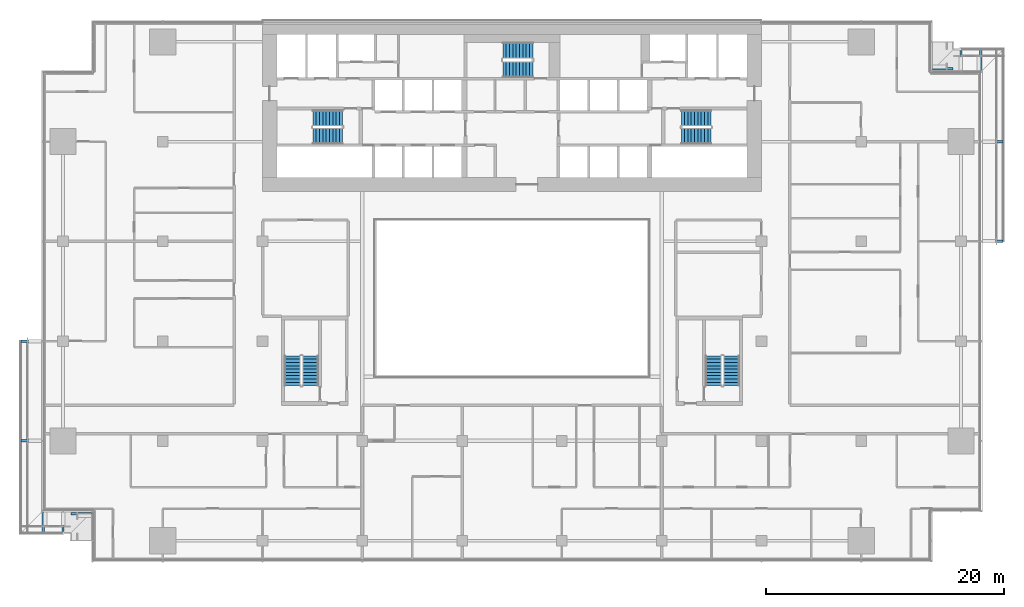
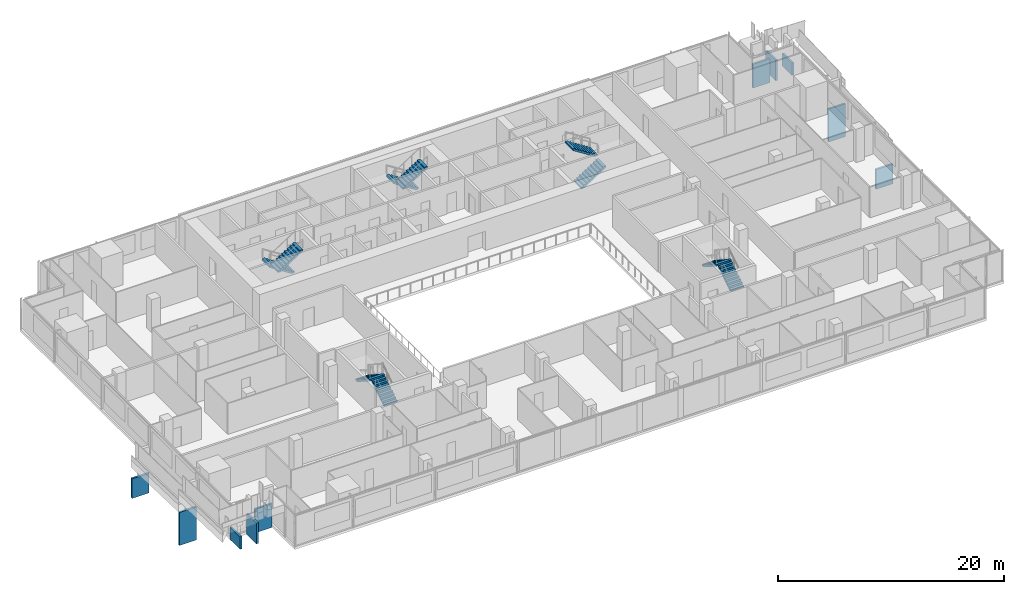
# One storey, part 22 of 27: 10 discrete accessories, 10 stair flights, 5 elements without a shape of their own.
"""IFC4 building model written with IfcOpenShell, lengths in metres."""

from ifc_helpers import new_model, si_unit, direction, frame, origin, origin_2d, place, context, subcontext, project, spatial, polyline, rectangle, outline, extrude, material, type_object, element, aggregate, save


model = new_model("IFC4")

# Units and contexts
model_context = context("Model", 3, precision=1e-05, world=origin(), true_north=direction((0.0, 1.0)))
body_context = subcontext(model_context, "Body", "Model", "MODEL_VIEW")
ifc_project = project(units=[si_unit("LENGTHUNIT", "METRE"), si_unit("AREAUNIT", "SQUARE_METRE"), si_unit("VOLUMEUNIT", "CUBIC_METRE"), si_unit("PLANEANGLEUNIT", "RADIAN"), si_unit("MASSUNIT", "GRAM", prefix="KILO")], contexts=[model_context])

# Site, building, storey
site_placement = place(None, origin())
site = spatial("IfcSite", under=ifc_project, at=site_placement, CompositionType="ELEMENT")
building_placement = place(site_placement, origin())
building = spatial("IfcBuilding", under=site, at=building_placement, Name="Saffron Gate Tower", CompositionType="ELEMENT")
storey_placement = place(building_placement, frame((0.0, 0.0, 76.800048828125)))
storey = spatial("IfcBuildingStorey", under=building, at=storey_placement, Name="L18", CompositionType="ELEMENT", Elevation=76.800048828125)

# Stair, stair flights
ifc_material = material(Name="Concrete C40", Category="concrete")
stair_type = type_object("IfcStairType", Name="ST7 Stair 1350 wide, 20 risers of 180", PredefinedType="HALF_TURN_STAIR", material=ifc_material)
stair_1_placement = place(storey_placement, origin())
stair_1 = element("IfcStair", 1, at=stair_1_placement, inside=storey, type_object=stair_type, Name="L18 Exit stair A", PredefinedType="HALF_TURN_STAIR")
stair_flight_type = type_object("IfcStairFlightType", Name="SF3 Stair flight 1350 wide, riser 180 going 280", PredefinedType="STRAIGHT", material=ifc_material)
stair_flight_1_placement = place(storey_placement, frame((73.35009765625, 67.375, 0.0), z_axis=(0.0, 0.0, 1.0), x_axis=(-1.0, 0.0, 0.0)))
stair_flight_1 = element("IfcStairFlight", 2, at=stair_flight_1_placement, type_object=stair_flight_type, Name="ST-A flight 1", NumberOfRisers=10, NumberOfTreads=9, PredefinedType="STRAIGHT", RiserHeight=0.18, TreadLength=0.28, context=body_context, shape_type="SweptSolid", body=[
    extrude(outline(polyline([(0.0, 0.0), (0.0, 0.179931640625), (0.280029296875, 0.179931640625), (0.280029296875, 0.360107421875), (0.56005859375, 0.360107421875), (0.56005859375, 0.5400390625), (0.840087890625, 0.5400390625), (0.840087890625, 0.719970703125), (1.1201171875, 0.719970703125), (1.1201171875, 0.89990234375), (1.39990234375, 0.89990234375), (1.39990234375, 1.080078125), (1.679931640625, 1.080078125), (1.679931640625, 1.260009765625), (1.9599609375, 1.260009765625), (1.9599609375, 1.43994140625), (2.239990234375, 1.43994140625), (2.239990234375, 1.6201171875), (2.52001953125, 1.6201171875), (2.52001953125, 1.800048828125), (2.52001953125, 1.44189453125), (0.277099609375, 0.0), (0.0, 0.0)])), frame((0.0, 0.675048828125, 0.0), z_axis=(0.0, -1.0, 0.0), x_axis=(1.0, 0.0, 0.0)), (0.0, 0.0, 1.0), 1.35009765625),
])
stair_flight_2_placement = place(storey_placement, frame((70.830078125, 65.875, 1.800048828125), z_axis=(0.0, 0.0, 1.0), x_axis=(1.0, 0.0, 0.0)))
stair_flight_2 = element("IfcStairFlight", 3, at=stair_flight_2_placement, type_object=stair_flight_type, Name="ST-A flight 2", NumberOfRisers=10, NumberOfTreads=9, PredefinedType="STRAIGHT", RiserHeight=0.18, TreadLength=0.28, context=body_context, shape_type="SweptSolid", body=[
    extrude(outline(polyline([(0.0, 0.0), (0.0, 0.179931640625), (0.280029296875, 0.179931640625), (0.280029296875, 0.360107421875), (0.56005859375, 0.360107421875), (0.56005859375, 0.5400390625), (0.840087890625, 0.5400390625), (0.840087890625, 0.719970703125), (1.1201171875, 0.719970703125), (1.1201171875, 0.89990234375), (1.39990234375, 0.89990234375), (1.39990234375, 1.080078125), (1.679931640625, 1.080078125), (1.679931640625, 1.260009765625), (1.9599609375, 1.260009765625), (1.9599609375, 1.43994140625), (2.239990234375, 1.43994140625), (2.239990234375, 1.6201171875), (2.52001953125, 1.6201171875), (2.52001953125, 1.800048828125), (2.52001953125, 1.44189453125), (0.277099609375, 0.0), (0.0, 0.0)])), frame((0.0, 0.675048828125, 0.0), z_axis=(0.0, -1.0, 0.0), x_axis=(1.0, 0.0, 0.0)), (0.0, 0.0, 1.0), 1.35009765625),
])
aggregate(stair_1, [stair_flight_1, stair_flight_2])

stair_2_placement = place(storey_placement, origin())
stair_2 = element("IfcStair", 4, at=stair_2_placement, inside=storey, type_object=stair_type, Name="L18 Exit stair B", PredefinedType="HALF_TURN_STAIR")
stair_flight_3_placement = place(storey_placement, frame((101.85009765625, 65.875, 0.0), z_axis=(0.0, 0.0, 1.0), x_axis=(1.0, 0.0, 0.0)))
stair_flight_3 = element("IfcStairFlight", 5, at=stair_flight_3_placement, type_object=stair_flight_type, Name="ST-B flight 1", NumberOfRisers=10, NumberOfTreads=9, PredefinedType="STRAIGHT", RiserHeight=0.18, TreadLength=0.28, context=body_context, shape_type="SweptSolid", body=[
    extrude(outline(polyline([(0.0, 0.0), (0.0, 0.179931640625), (0.280029296875, 0.179931640625), (0.280029296875, 0.360107421875), (0.56005859375, 0.360107421875), (0.56005859375, 0.5400390625), (0.840087890625, 0.5400390625), (0.840087890625, 0.719970703125), (1.1201171875, 0.719970703125), (1.1201171875, 0.89990234375), (1.39990234375, 0.89990234375), (1.39990234375, 1.080078125), (1.679931640625, 1.080078125), (1.679931640625, 1.260009765625), (1.9599609375, 1.260009765625), (1.9599609375, 1.43994140625), (2.239990234375, 1.43994140625), (2.239990234375, 1.6201171875), (2.52001953125, 1.6201171875), (2.52001953125, 1.800048828125), (2.52001953125, 1.44189453125), (0.277099609375, 0.0), (0.0, 0.0)])), frame((0.0, 0.675048828125, 0.0), z_axis=(0.0, -1.0, 0.0), x_axis=(1.0, 0.0, 0.0)), (0.0, 0.0, 1.0), 1.35009765625),
])
stair_flight_4_placement = place(storey_placement, frame((104.3701171875, 67.375, 1.800048828125), z_axis=(0.0, 0.0, 1.0), x_axis=(-1.0, 0.0, 0.0)))
stair_flight_4 = element("IfcStairFlight", 6, at=stair_flight_4_placement, type_object=stair_flight_type, Name="ST-B flight 2", NumberOfRisers=10, NumberOfTreads=9, PredefinedType="STRAIGHT", RiserHeight=0.18, TreadLength=0.28, context=body_context, shape_type="SweptSolid", body=[
    extrude(outline(polyline([(0.0, 0.0), (0.0, 0.179931640625), (0.280029296875, 0.179931640625), (0.280029296875, 0.360107421875), (0.56005859375, 0.360107421875), (0.56005859375, 0.5400390625), (0.840087890625, 0.5400390625), (0.840087890625, 0.719970703125), (1.1201171875, 0.719970703125), (1.1201171875, 0.89990234375), (1.39990234375, 0.89990234375), (1.39990234375, 1.080078125), (1.679931640625, 1.080078125), (1.679931640625, 1.260009765625), (1.9599609375, 1.260009765625), (1.9599609375, 1.43994140625), (2.239990234375, 1.43994140625), (2.239990234375, 1.6201171875), (2.52001953125, 1.6201171875), (2.52001953125, 1.800048828125), (2.52001953125, 1.44189453125), (0.277099609375, 0.0), (0.0, 0.0)])), frame((0.0, 0.675048828125, 0.0), z_axis=(0.0, -1.0, 0.0), x_axis=(1.0, 0.0, 0.0)), (0.0, 0.0, 1.0), 1.35009765625),
])
aggregate(stair_2, [stair_flight_3, stair_flight_4])

stair_3_placement = place(storey_placement, origin())
stair_3 = element("IfcStair", 7, at=stair_3_placement, inside=storey, type_object=stair_type, Name="L18 Exit stair C", PredefinedType="HALF_TURN_STAIR")
stair_flight_5_placement = place(storey_placement, frame((89.35009765625, 73.074951171875, 0.0), z_axis=(0.0, 0.0, 1.0), x_axis=(-1.0, 0.0, 0.0)))
stair_flight_5 = element("IfcStairFlight", 8, at=stair_flight_5_placement, type_object=stair_flight_type, Name="ST-C flight 1", NumberOfRisers=10, NumberOfTreads=9, PredefinedType="STRAIGHT", RiserHeight=0.18, TreadLength=0.28, context=body_context, shape_type="SweptSolid", body=[
    extrude(outline(polyline([(0.0, 0.0), (0.0, 0.179931640625), (0.280029296875, 0.179931640625), (0.280029296875, 0.360107421875), (0.56005859375, 0.360107421875), (0.56005859375, 0.5400390625), (0.840087890625, 0.5400390625), (0.840087890625, 0.719970703125), (1.1201171875, 0.719970703125), (1.1201171875, 0.89990234375), (1.39990234375, 0.89990234375), (1.39990234375, 1.080078125), (1.679931640625, 1.080078125), (1.679931640625, 1.260009765625), (1.9599609375, 1.260009765625), (1.9599609375, 1.43994140625), (2.239990234375, 1.43994140625), (2.239990234375, 1.6201171875), (2.52001953125, 1.6201171875), (2.52001953125, 1.800048828125), (2.52001953125, 1.44189453125), (0.277099609375, 0.0), (0.0, 0.0)])), frame((0.0, 0.675048828125, 0.0), z_axis=(0.0, -1.0, 0.0), x_axis=(1.0, 0.0, 0.0)), (0.0, 0.0, 1.0), 1.35009765625),
])
stair_flight_6_placement = place(storey_placement, frame((86.830078125, 71.47509765625, 1.800048828125), z_axis=(0.0, 0.0, 1.0), x_axis=(1.0, 0.0, 0.0)))
stair_flight_6 = element("IfcStairFlight", 9, at=stair_flight_6_placement, type_object=stair_flight_type, Name="ST-C flight 2", NumberOfRisers=10, NumberOfTreads=9, PredefinedType="STRAIGHT", RiserHeight=0.18, TreadLength=0.28, context=body_context, shape_type="SweptSolid", body=[
    extrude(outline(polyline([(0.0, 0.0), (0.0, 0.179931640625), (0.280029296875, 0.179931640625), (0.280029296875, 0.360107421875), (0.56005859375, 0.360107421875), (0.56005859375, 0.5400390625), (0.840087890625, 0.5400390625), (0.840087890625, 0.719970703125), (1.1201171875, 0.719970703125), (1.1201171875, 0.89990234375), (1.39990234375, 0.89990234375), (1.39990234375, 1.080078125), (1.679931640625, 1.080078125), (1.679931640625, 1.260009765625), (1.9599609375, 1.260009765625), (1.9599609375, 1.43994140625), (2.239990234375, 1.43994140625), (2.239990234375, 1.6201171875), (2.52001953125, 1.6201171875), (2.52001953125, 1.800048828125), (2.52001953125, 1.44189453125), (0.277099609375, 0.0), (0.0, 0.0)])), frame((0.0, 0.675048828125, 0.0), z_axis=(0.0, -1.0, 0.0), x_axis=(1.0, 0.0, 0.0)), (0.0, 0.0, 1.0), 1.35009765625),
])
aggregate(stair_3, [stair_flight_5, stair_flight_6])

stair_4_placement = place(storey_placement, origin())
stair_4 = element("IfcStair", 10, at=stair_4_placement, inside=storey, type_object=stair_type, Name="L18 Exit stair D", PredefinedType="HALF_TURN_STAIR")
stair_flight_7_placement = place(storey_placement, frame((70.625, 44.85009765625, 0.0), z_axis=(0.0, 0.0, 1.0), x_axis=(0.0, 1.0, 0.0)))
stair_flight_7 = element("IfcStairFlight", 11, at=stair_flight_7_placement, type_object=stair_flight_type, Name="ST-D flight 1", NumberOfRisers=10, NumberOfTreads=9, PredefinedType="STRAIGHT", RiserHeight=0.18, TreadLength=0.28, context=body_context, shape_type="SweptSolid", body=[
    extrude(outline(polyline([(0.0, 0.0), (0.0, 0.179931640625), (0.280029296875, 0.179931640625), (0.280029296875, 0.360107421875), (0.56005859375, 0.360107421875), (0.56005859375, 0.5400390625), (0.840087890625, 0.5400390625), (0.840087890625, 0.719970703125), (1.1201171875, 0.719970703125), (1.1201171875, 0.89990234375), (1.39990234375, 0.89990234375), (1.39990234375, 1.080078125), (1.679931640625, 1.080078125), (1.679931640625, 1.260009765625), (1.9599609375, 1.260009765625), (1.9599609375, 1.43994140625), (2.239990234375, 1.43994140625), (2.239990234375, 1.6201171875), (2.52001953125, 1.6201171875), (2.52001953125, 1.800048828125), (2.52001953125, 1.44189453125), (0.277099609375, 0.0), (0.0, 0.0)])), frame((0.0, 0.675048828125, 0.0), z_axis=(0.0, -1.0, 0.0), x_axis=(1.0, 0.0, 0.0)), (0.0, 0.0, 1.0), 1.35009765625),
])
stair_flight_8_placement = place(storey_placement, frame((69.125, 47.3701171875, 1.800048828125), z_axis=(0.0, 0.0, 1.0), x_axis=(0.0, -1.0, 0.0)))
stair_flight_8 = element("IfcStairFlight", 12, at=stair_flight_8_placement, type_object=stair_flight_type, Name="ST-D flight 2", NumberOfRisers=10, NumberOfTreads=9, PredefinedType="STRAIGHT", RiserHeight=0.18, TreadLength=0.28, context=body_context, shape_type="SweptSolid", body=[
    extrude(outline(polyline([(0.0, 0.0), (0.0, 0.179931640625), (0.280029296875, 0.179931640625), (0.280029296875, 0.360107421875), (0.56005859375, 0.360107421875), (0.56005859375, 0.5400390625), (0.840087890625, 0.5400390625), (0.840087890625, 0.719970703125), (1.1201171875, 0.719970703125), (1.1201171875, 0.89990234375), (1.39990234375, 0.89990234375), (1.39990234375, 1.080078125), (1.679931640625, 1.080078125), (1.679931640625, 1.260009765625), (1.9599609375, 1.260009765625), (1.9599609375, 1.43994140625), (2.239990234375, 1.43994140625), (2.239990234375, 1.6201171875), (2.52001953125, 1.6201171875), (2.52001953125, 1.800048828125), (2.52001953125, 1.44189453125), (0.277099609375, 0.0), (0.0, 0.0)])), frame((0.0, 0.675048828125, 0.0), z_axis=(0.0, -1.0, 0.0), x_axis=(1.0, 0.0, 0.0)), (0.0, 0.0, 1.0), 1.35009765625),
])
aggregate(stair_4, [stair_flight_7, stair_flight_8])

stair_5_placement = place(storey_placement, origin())
stair_5 = element("IfcStair", 13, at=stair_5_placement, inside=storey, type_object=stair_type, Name="L18 Exit stair E", PredefinedType="HALF_TURN_STAIR")
stair_flight_9_placement = place(storey_placement, frame((106.074951171875, 44.85009765625, 0.0), z_axis=(0.0, 0.0, 1.0), x_axis=(0.0, 1.0, 0.0)))
stair_flight_9 = element("IfcStairFlight", 14, at=stair_flight_9_placement, type_object=stair_flight_type, Name="ST-E flight 1", NumberOfRisers=10, NumberOfTreads=9, PredefinedType="STRAIGHT", RiserHeight=0.18, TreadLength=0.28, context=body_context, shape_type="SweptSolid", body=[
    extrude(outline(polyline([(0.0, 0.0), (0.0, 0.179931640625), (0.280029296875, 0.179931640625), (0.280029296875, 0.360107421875), (0.56005859375, 0.360107421875), (0.56005859375, 0.5400390625), (0.840087890625, 0.5400390625), (0.840087890625, 0.719970703125), (1.1201171875, 0.719970703125), (1.1201171875, 0.89990234375), (1.39990234375, 0.89990234375), (1.39990234375, 1.080078125), (1.679931640625, 1.080078125), (1.679931640625, 1.260009765625), (1.9599609375, 1.260009765625), (1.9599609375, 1.43994140625), (2.239990234375, 1.43994140625), (2.239990234375, 1.6201171875), (2.52001953125, 1.6201171875), (2.52001953125, 1.800048828125), (2.52001953125, 1.44189453125), (0.277099609375, 0.0), (0.0, 0.0)])), frame((0.0, 0.675048828125, 0.0), z_axis=(0.0, -1.0, 0.0), x_axis=(1.0, 0.0, 0.0)), (0.0, 0.0, 1.0), 1.35009765625),
])
stair_flight_10_placement = place(storey_placement, frame((104.574951171875, 47.3701171875, 1.800048828125), z_axis=(0.0, 0.0, 1.0), x_axis=(0.0, -1.0, 0.0)))
stair_flight_10 = element("IfcStairFlight", 15, at=stair_flight_10_placement, type_object=stair_flight_type, Name="ST-E flight 2", NumberOfRisers=10, NumberOfTreads=9, PredefinedType="STRAIGHT", RiserHeight=0.18, TreadLength=0.28, context=body_context, shape_type="SweptSolid", body=[
    extrude(outline(polyline([(0.0, 0.0), (0.0, 0.179931640625), (0.280029296875, 0.179931640625), (0.280029296875, 0.360107421875), (0.56005859375, 0.360107421875), (0.56005859375, 0.5400390625), (0.840087890625, 0.5400390625), (0.840087890625, 0.719970703125), (1.1201171875, 0.719970703125), (1.1201171875, 0.89990234375), (1.39990234375, 0.89990234375), (1.39990234375, 1.080078125), (1.679931640625, 1.080078125), (1.679931640625, 1.260009765625), (1.9599609375, 1.260009765625), (1.9599609375, 1.43994140625), (2.239990234375, 1.43994140625), (2.239990234375, 1.6201171875), (2.52001953125, 1.6201171875), (2.52001953125, 1.800048828125), (2.52001953125, 1.44189453125), (0.277099609375, 0.0), (0.0, 0.0)])), frame((0.0, 0.675048828125, 0.0), z_axis=(0.0, -1.0, 0.0), x_axis=(1.0, 0.0, 0.0)), (0.0, 0.0, 1.0), 1.35009765625),
])
aggregate(stair_5, [stair_flight_9, stair_flight_10])

# Discrete accessories
discrete_accessory_1_placement = place(storey_placement, frame((47.125, 48.60009765625, -3.8798828125), z_axis=(0.0, 0.0, 1.0), x_axis=(0.0, -1.0, 0.0)))
element("IfcDiscreteAccessory", 16, at=discrete_accessory_1_placement, inside=storey, Name="LEDGE rib", PredefinedType="BRACKET", context=body_context, shape_type="SweptSolid", body=[
    extrude(rectangle(XDim=0.199951171875, YDim=1.75, at=origin_2d()), origin(), (0.0, 0.0, 1.0), 2.122802734375),
])
discrete_accessory_2_placement = place(storey_placement, frame((47.125, 40.199951171875, -3.8798828125), z_axis=(0.0, 0.0, 1.0), x_axis=(0.0, -1.0, 0.0)))
element("IfcDiscreteAccessory", 17, at=discrete_accessory_2_placement, inside=storey, Name="LEDGE rib", PredefinedType="BRACKET", context=body_context, shape_type="SweptSolid", body=[
    extrude(rectangle(XDim=0.199951171875, YDim=1.75, at=origin_2d()), origin(), (0.0, 0.0, 1.0), 3.565185546875),
])
discrete_accessory_3_placement = place(storey_placement, frame((48.1201171875, 33.324951171875, -0.280029296875), z_axis=(0.0, 0.0, 1.0), x_axis=(1.0, 0.0, 0.0)))
element("IfcDiscreteAccessory", 18, at=discrete_accessory_3_placement, inside=storey, Name="LEDGE rib", PredefinedType="BRACKET", context=body_context, shape_type="SweptSolid", body=[
    extrude(rectangle(XDim=0.199951171875, YDim=1.75, at=origin_2d()), origin(), (0.0, 0.0, 1.0), 1.33837890625),
])
discrete_accessory_4_placement = place(storey_placement, frame((49.800048828125, 33.324951171875, -0.280029296875), z_axis=(0.0, 0.0, 1.0), x_axis=(1.0, 0.0, 0.0)))
element("IfcDiscreteAccessory", 19, at=discrete_accessory_4_placement, inside=storey, Name="LEDGE rib", PredefinedType="BRACKET", context=body_context, shape_type="SweptSolid", body=[
    extrude(rectangle(XDim=0.199951171875, YDim=1.75, at=origin_2d()), origin(), (0.0, 0.0, 1.0), 2.24755859375),
])
discrete_accessory_5_placement = place(storey_placement, frame((51.324951171875, 34.080078125, -0.2802734375), z_axis=(0.0, 0.0, 1.0), x_axis=(0.0, -1.0, 0.0)))
element("IfcDiscreteAccessory", 20, at=discrete_accessory_5_placement, inside=storey, Name="LEDGE rib", PredefinedType="BRACKET", context=body_context, shape_type="SweptSolid", body=[
    extrude(rectangle(XDim=0.199951171875, YDim=1.75, at=origin_2d()), origin(), (0.0, 0.0, 1.0), 2.573974609375),
])
discrete_accessory_6_placement = place(storey_placement, frame((128.074951171875, 57.0, -3.8798828125), z_axis=(0.0, 0.0, 1.0), x_axis=(0.0, 1.0, 0.0)))
element("IfcDiscreteAccessory", 21, at=discrete_accessory_6_placement, inside=storey, Name="LEDGE rib", PredefinedType="BRACKET", context=body_context, shape_type="SweptSolid", body=[
    extrude(rectangle(XDim=0.199951171875, YDim=1.75, at=origin_2d()), origin(), (0.0, 0.0, 1.0), 2.122802734375),
])
discrete_accessory_7_placement = place(storey_placement, frame((128.074951171875, 65.39990234375, -3.8798828125), z_axis=(0.0, 0.0, 1.0), x_axis=(0.0, 1.0, 0.0)))
element("IfcDiscreteAccessory", 22, at=discrete_accessory_7_placement, inside=storey, Name="LEDGE rib", PredefinedType="BRACKET", context=body_context, shape_type="SweptSolid", body=[
    extrude(rectangle(XDim=0.199951171875, YDim=1.75, at=origin_2d()), origin(), (0.0, 0.0, 1.0), 3.565185546875),
])
discrete_accessory_8_placement = place(storey_placement, frame((127.080078125, 72.27490234375, -0.280029296875), z_axis=(0.0, 0.0, 1.0), x_axis=(-1.0, 0.0, 0.0)))
element("IfcDiscreteAccessory", 23, at=discrete_accessory_8_placement, inside=storey, Name="LEDGE rib", PredefinedType="BRACKET", context=body_context, shape_type="SweptSolid", body=[
    extrude(rectangle(XDim=0.199951171875, YDim=1.75, at=origin_2d()), origin(), (0.0, 0.0, 1.0), 1.33837890625),
])
discrete_accessory_9_placement = place(storey_placement, frame((125.39990234375, 72.27490234375, -0.280029296875), z_axis=(0.0, 0.0, 1.0), x_axis=(-1.0, 0.0, 0.0)))
element("IfcDiscreteAccessory", 24, at=discrete_accessory_9_placement, inside=storey, Name="LEDGE rib", PredefinedType="BRACKET", context=body_context, shape_type="SweptSolid", body=[
    extrude(rectangle(XDim=0.199951171875, YDim=1.75, at=origin_2d()), origin(), (0.0, 0.0, 1.0), 2.24755859375),
])
discrete_accessory_10_placement = place(storey_placement, frame((123.875, 71.52001953125, -0.2802734375), z_axis=(0.0, 0.0, 1.0), x_axis=(0.0, 1.0, 0.0)))
element("IfcDiscreteAccessory", 25, at=discrete_accessory_10_placement, inside=storey, Name="LEDGE rib", PredefinedType="BRACKET", context=body_context, shape_type="SweptSolid", body=[
    extrude(rectangle(XDim=0.199951171875, YDim=1.75, at=origin_2d()), origin(), (0.0, 0.0, 1.0), 2.573974609375),
])

save(model, "model.ifc")
